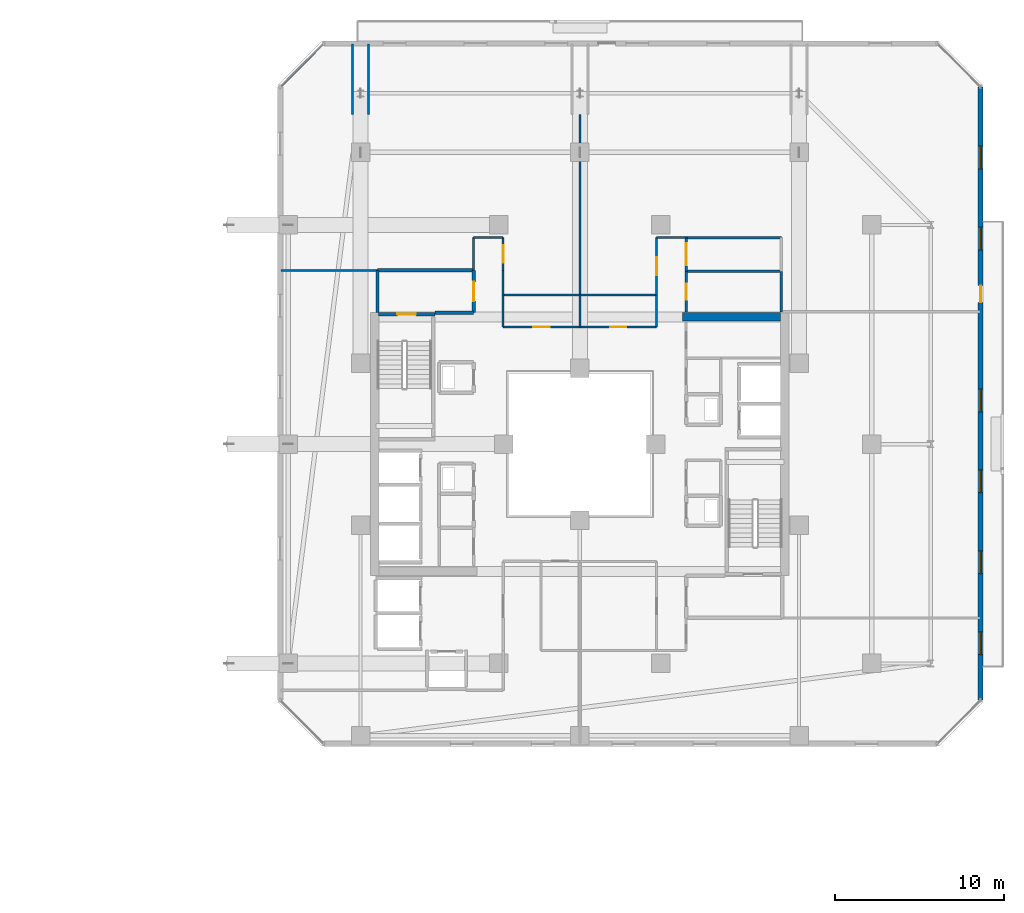
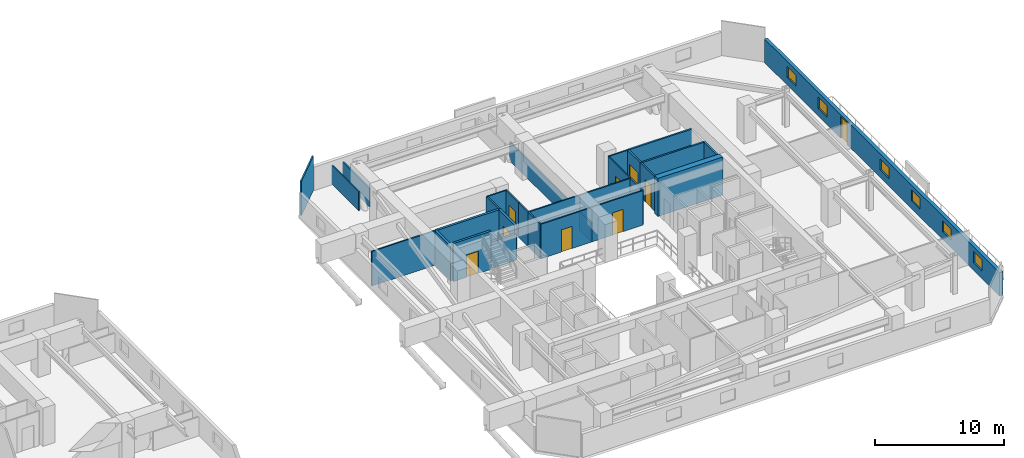
# One storey, part 28 of 36: 30 walls, 9 doors, 6 windows, 15 openings.
"""IFC4 building model written with IfcOpenShell, lengths in metres."""

import ifcopenshell
import ifcopenshell.guid

model = None  # the IFC model being written
_history = None  # IfcOwnerHistory: only IFC2X3 demands one
_inside = {}  # id of a spatial element -> (the spatial element, [elements in it])
_under = {}  # id of a project, library or spatial element -> (it, [spatial elements below it])
_declared = {}  # id of a project -> (the project, [libraries it declares])
_typed = {}  # id of a type object -> (the type object, [elements of that type])
_made_of = {}  # id of a material, layer set ... -> (it, [elements and type objects made of it])


def new_model(schema):
    """Start an empty IFC model of exactly this schema.

    Asked for "IFC4X3", IfcOpenShell would pick the latest addendum, in which some entities
    have other attributes; the version numbers below select the first issue.
    IFC2X3 requires an IfcOwnerHistory on every rooted entity: one is made here for all.
    """
    global model, _history
    if schema == "IFC4X3":
        model = ifcopenshell.file(schema_version=(4, 3, 0, 0))
    else:
        model = ifcopenshell.file(schema=schema)
    _inside.clear()
    _under.clear()
    _declared.clear()
    _typed.clear()
    _made_of.clear()
    _history = None
    if model.schema == "IFC2X3":
        org = make("IfcOrganization", Name="unknown")
        user = make(
            "IfcPersonAndOrganization",
            ThePerson=make("IfcPerson", FamilyName="unknown"),
            TheOrganization=org,
        )
        app = make(
            "IfcApplication",
            ApplicationDeveloper=org,
            Version="unknown",
            ApplicationFullName="unknown",
            ApplicationIdentifier="unknown",
        )
        _history = make(
            "IfcOwnerHistory",
            OwningUser=user,
            OwningApplication=app,
            ChangeAction="ADDED",
            CreationDate=0,
        )
    return model


def make(cls, **values):
    """One entity of the class cls with the attributes given. An attribute that is None is left unset."""
    return model.create_entity(
        cls, **{name: value for name, value in values.items() if value is not None}
    )


def rooted(cls, **values):
    """An entity with a GlobalId (a new one), such as an element, a storey or a relation."""
    return make(cls, GlobalId=ifcopenshell.guid.new(), OwnerHistory=_history, **values)


def si_unit(unit_type, name, prefix=None):
    """IfcSIUnit, for example si_unit("LENGTHUNIT", "METRE", prefix="MILLI")."""
    return make("IfcSIUnit", UnitType=unit_type, Prefix=prefix, Name=name)


def assignment(units):
    """IfcUnitAssignment: the units of a project."""
    return None if units is None else make("IfcUnitAssignment", Units=units)


def point(xyz):
    """IfcCartesianPoint."""
    return None if xyz is None else make("IfcCartesianPoint", Coordinates=xyz)


def direction(xyz):
    """IfcDirection."""
    return None if xyz is None else make("IfcDirection", DirectionRatios=xyz)


def frame(location, z_axis=None, x_axis=None):
    """IfcAxis2Placement3D, a coordinate frame: its origin and axes. An axis left out is left unset."""
    return make(
        "IfcAxis2Placement3D",
        Location=point(location),
        Axis=direction(z_axis),
        RefDirection=direction(x_axis),
    )


def frame_2d(location, x_axis=None):
    """IfcAxis2Placement2D, a coordinate frame in the plane: its origin and x axis."""
    return make(
        "IfcAxis2Placement2D", Location=point(location), RefDirection=direction(x_axis)
    )


def origin():
    """The frame at (0, 0, 0) with its axes left unset."""
    return frame((0.0, 0.0, 0.0))


def place(relative_to, where):
    """IfcLocalPlacement: puts the frame where relative to a parent placement (None: the world)."""
    return make(
        "IfcLocalPlacement", PlacementRelTo=relative_to, RelativePlacement=where
    )


def context(
    kind, dimensions, precision=None, world=None, true_north=None, identifier=None
):
    """IfcGeometricRepresentationContext, for example the 3D "Model" context."""
    return make(
        "IfcGeometricRepresentationContext",
        ContextIdentifier=identifier,
        ContextType=kind,
        CoordinateSpaceDimension=dimensions,
        Precision=precision,
        WorldCoordinateSystem=world,
        TrueNorth=true_north,
    )


def subcontext(parent, identifier, kind, view, scale=None):
    """IfcGeometricRepresentationSubContext, for example "Body" below "Model"."""
    return make(
        "IfcGeometricRepresentationSubContext",
        ContextIdentifier=identifier,
        ContextType=kind,
        ParentContext=parent,
        TargetScale=scale,
        TargetView=view,
    )


def project(units=None, contexts=None):
    """IfcProject with its units and contexts."""
    return rooted(
        "IfcProject",
        Name="project",
        RepresentationContexts=contexts,
        UnitsInContext=assignment(units),
    )


def spatial(cls, under=None, at=None, **own):
    """A site, building, storey or space (cls), placed at a placement, below another one or the project."""
    s = rooted(cls, ObjectPlacement=at, **own)
    if under is not None:
        _under.setdefault(under.id(), (under, []))[1].append(s)
    return s


def profile(cls, at=None, kind="AREA", **sizes):
    """A parametric profile (cls). Its sizes go by their IFC names, for example OverallWidth=200.0."""
    return make(cls, ProfileType=kind, Position=at, **sizes)


def rectangle(**sizes):
    """IfcRectangleProfileDef."""
    return profile("IfcRectangleProfileDef", **sizes)


def extrude(swept, where, along, depth):
    """IfcExtrudedAreaSolid: the profile swept, set in the frame where, extruded along a direction by depth."""
    return make(
        "IfcExtrudedAreaSolid",
        SweptArea=swept,
        Position=where,
        ExtrudedDirection=direction(along),
        Depth=depth,
    )


def shape(context_of_items, identifier, shape_type, items):
    """IfcShapeRepresentation: the items that make up one representation, for example the "Body"."""
    return make(
        "IfcShapeRepresentation",
        ContextOfItems=context_of_items,
        RepresentationIdentifier=identifier,
        RepresentationType=shape_type,
        Items=items,
    )


def material(Name=None, Category=None):
    """IfcMaterial."""
    return make("IfcMaterial", Name=Name, Category=Category)


def layer(
    of_material, thickness, ventilated=None, Name=None, Category=None, Priority=None
):
    """IfcMaterialLayer: one layer of a wall or slab, of a material (None: an air gap)."""
    return make(
        "IfcMaterialLayer",
        Material=of_material,
        LayerThickness=thickness,
        IsVentilated=ventilated,
        Name=Name,
        Category=Category,
        Priority=Priority,
    )


def layer_set(layers, Name=None):
    """IfcMaterialLayerSet."""
    return make("IfcMaterialLayerSet", MaterialLayers=layers, LayerSetName=Name)


def made_of(thing, what):
    """Note that an element or type object is made of a material, layer set ...; save() writes the relation."""
    if what is not None:
        _made_of.setdefault(what.id(), (what, []))[1].append(thing)
    return thing


def type_object(cls, material=None, **own):
    """A type object (cls), such as IfcWallType, which elements share."""
    return made_of(rooted(cls, **own), material)


def element(
    cls,
    number,
    at=None,
    inside=None,
    cuts=None,
    type_object=None,
    material=None,
    context=None,
    identifier="Body",
    shape_type=None,
    held_by="IfcProductDefinitionShape",
    body=None,
    shapes=None,
    **own,
):
    """One element of the class cls, such as IfcWall. Its Tag is "e" and its number.

    at: its placement. inside: the storey or other place that contains it. cuts: it is an
    opening in that element (IfcRelVoidsElement). A single representation is given by context,
    identifier, shape_type and body (its items); several are given by shapes. held_by: the class
    of the entity that holds the representations. save() writes the other relations.
    """
    e = rooted(cls, Tag="e%d" % number, ObjectPlacement=at, **own)
    if body is not None:
        shapes = [shape(context, identifier, shape_type, body)]
    if shapes is not None:
        e.Representation = make(held_by, Representations=shapes)
    if inside is not None:
        _inside.setdefault(inside.id(), (inside, []))[1].append(e)
    if cuts is not None:
        rooted(
            "IfcRelVoidsElement", RelatingBuildingElement=cuts, RelatedOpeningElement=e
        )
    if type_object is not None:
        _typed.setdefault(type_object.id(), (type_object, []))[1].append(e)
    return made_of(e, material)


def fill(opening, filler):
    """IfcRelFillsElement: the door or window that sits in an opening."""
    return rooted(
        "IfcRelFillsElement",
        RelatingOpeningElement=opening,
        RelatedBuildingElement=filler,
    )


def aggregate(whole, parts):
    """IfcRelAggregates: a whole, such as a stair, and the parts it consists of."""
    return rooted("IfcRelAggregates", RelatingObject=whole, RelatedObjects=parts)


def save(model, path):
    """Write the relations noted so far, then the file.

    IfcRelAggregates (storeys below a building ...), IfcRelContainedInSpatialStructure (elements
    in a storey), IfcRelDefinesByType, IfcRelAssociatesMaterial and IfcRelDeclares: one each for
    every whole, place, type object, material and project.
    """
    for whole, parts in _under.values():
        aggregate(whole, parts)
    for where, things in _inside.values():
        rooted(
            "IfcRelContainedInSpatialStructure",
            RelatedElements=things,
            RelatingStructure=where,
        )
    for kind, things in _typed.values():
        rooted("IfcRelDefinesByType", RelatedObjects=things, RelatingType=kind)
    for what, things in _made_of.values():
        rooted("IfcRelAssociatesMaterial", RelatedObjects=things, RelatingMaterial=what)
    for by, libraries in _declared.values():
        rooted("IfcRelDeclares", RelatingContext=by, RelatedDefinitions=libraries)
    model.write(path)


model = new_model("IFC4")

# Units and contexts
model_context = context("Model", 3, precision=1e-05, world=origin(), true_north=direction((0.0, 1.0)))
body_context = subcontext(model_context, "Body", "Model", "MODEL_VIEW")
ifc_project = project(units=[si_unit("LENGTHUNIT", "METRE"), si_unit("AREAUNIT", "SQUARE_METRE"), si_unit("VOLUMEUNIT", "CUBIC_METRE"), si_unit("PLANEANGLEUNIT", "RADIAN"), si_unit("MASSUNIT", "GRAM", prefix="KILO")], contexts=[model_context])

# Site, building, storey
site_placement = place(None, origin())
site = spatial("IfcSite", under=ifc_project, at=site_placement, CompositionType="ELEMENT")
building_placement = place(site_placement, origin())
building = spatial("IfcBuilding", under=site, at=building_placement, Name="Thornwick Lancets Civic Towers", CompositionType="ELEMENT")
storey_placement = place(building_placement, frame((0.0, 0.0, 170.699951171875)))
storey = spatial("IfcBuildingStorey", under=building, at=storey_placement, Name="L45", CompositionType="ELEMENT", Elevation=170.699951171875)

# Wall
ifc_material_1 = material(Name="Concrete blockwork C40/50", Category="masonry")
ifc_layer_1 = layer(ifc_material_1, 0.199951171875, Name="Concrete blockwork C40/50")
ifc_layer_set_1 = layer_set([ifc_layer_1], Name="Concrete blockwork C40/50")
wall_type_1 = type_object("IfcWallType", Name="WALL_COMP_200", PredefinedType="STANDARD", material=ifc_layer_set_1)
wall_1_placement = place(storey_placement, frame((79.89990234375, 34.800048828125, 0.0), z_axis=(0.0, 0.0, 1.0), x_axis=(1.0, 0.0, 0.0)))
element("IfcWall", 1, at=wall_1_placement, inside=storey, type_object=wall_type_1, Name="L45 Partition L45-B-FFLOB2 E1", PredefinedType="STANDARD", context=body_context, shape_type="SweptSolid", body=[
    extrude(rectangle(XDim=2.300048828125, YDim=0.199951171875, at=frame_2d((1.14990234375, 0.0))), origin(), (0.0, 0.0, 1.0), 2.465087890625),
])

# Wall, opening, door
wall_2_placement = place(storey_placement, frame((82.199951171875, 34.800048828125, 0.0), z_axis=(0.0, 0.0, 1.0), x_axis=(0.0, 1.0, 0.0)))
wall_2 = element("IfcWall", 2, at=wall_2_placement, inside=storey, type_object=wall_type_1, Name="L45 Partition L45-B-FFLOB2 E2", PredefinedType="STANDARD", context=body_context, shape_type="SweptSolid", body=[
    extrude(rectangle(XDim=2.5, YDim=0.199951171875, at=frame_2d((1.25, 0.0))), origin(), (0.0, 0.0, 1.0), 3.260009765625),
])
opening_1_placement = place(wall_2_placement, frame((0.675048828125, 0.0, 0.0)))
opening_1 = element("IfcOpeningElement", 3, at=opening_1_placement, cuts=wall_2, Name="Opening D-L45-2015", PredefinedType="OPENING", context=body_context, shape_type="SweptSolid", body=[
    extrude(rectangle(XDim=1.14990234375, YDim=2.10009765625, at=frame_2d((0.574951171875, 1.050048828125))), frame((0.0, 0.10986328125, 0.0), z_axis=(0.0, -1.0, 0.0), x_axis=(1.0, 0.0, 0.0)), (0.0, 0.0, 1.0), 0.219970703125),
])
ifc_material_2 = material(Name="Glazed fire-resisting steel", Category="steel")
door_type_1 = type_object("IfcDoorType", Name="DOOR_LOBBY_FD60", OperationType="NOTDEFINED", PredefinedType="DOOR", material=ifc_material_2)
door_1_placement = place(opening_1_placement, origin())
door_1 = element("IfcDoor", 4, at=door_1_placement, inside=storey, type_object=door_type_1, Name="L45 West Firefighting Lobby 2 Door", OperationType="SINGLE_SWING_RIGHT", OverallHeight=2.10009765625, OverallWidth=1.14990234375, PredefinedType="DOOR", context=body_context, shape_type="SweptSolid", body=[
    extrude(rectangle(XDim=1.14990234375, YDim=2.10009765625, at=frame_2d((0.574951171875, 1.050048828125))), frame((0.0, 0.02490234375, 0.0), z_axis=(0.0, -1.0, 0.0), x_axis=(1.0, 0.0, 0.0)), (0.0, 0.0, 1.0), 0.050048828125),
])
fill(opening_1, door_1)

# Walls
wall_3_placement = place(storey_placement, frame((82.199951171875, 37.300048828125, 0.0), z_axis=(0.0, 0.0, 1.0), x_axis=(-1.0, 0.0, 0.0)))
element("IfcWall", 5, at=wall_3_placement, inside=storey, type_object=wall_type_1, Name="L45 Partition L45-B-FFLOB2 E3", PredefinedType="STANDARD", context=body_context, shape_type="SweptSolid", body=[
    extrude(rectangle(XDim=5.699951171875, YDim=0.199951171875, at=frame_2d((2.85009765625, 0.0))), origin(), (0.0, 0.0, 1.0), 3.260009765625),
])
wall_4_placement = place(storey_placement, frame((76.5, 37.300048828125, 0.0), z_axis=(0.0, 0.0, 1.0), x_axis=(0.0, -1.0, 0.0)))
element("IfcWall", 6, at=wall_4_placement, inside=storey, type_object=wall_type_1, Name="L45 Partition L45-B-FFLOB2 E4", PredefinedType="STANDARD", context=body_context, shape_type="SweptSolid", body=[
    extrude(rectangle(XDim=2.5, YDim=0.199951171875, at=frame_2d((1.25, 0.0))), origin(), (0.0, 0.0, 1.0), 3.260009765625),
])
ifc_material_3 = material(Name="Concrete C50/60", Category="concrete")
ifc_layer_2 = layer(ifc_material_3, 0.5, Name="Concrete C50/60")
ifc_layer_set_2 = layer_set([ifc_layer_2], Name="Concrete C50/60")
wall_type_2 = type_object("IfcWallType", Name="WALL_CORE_500", PredefinedType="SHEAR", material=ifc_layer_set_2)
wall_5_placement = place(storey_placement, frame((94.60009765625, 34.550048828125, 0.0), z_axis=(0.0, 0.0, 1.0), x_axis=(1.0, 0.0, 0.0)))
element("IfcWall", 7, at=wall_5_placement, inside=storey, type_object=wall_type_2, Name="L45 Split Core B1 Shear Wall N", PredefinedType="SHEAR", context=body_context, shape_type="SweptSolid", body=[
    extrude(rectangle(XDim=5.7998046875, YDim=0.5, at=frame_2d((2.89990234375, 0.0))), origin(), (0.0, 0.0, 1.0), 3.60009765625),
])

# Wall, openings, door, windows
ifc_material_4 = material(Name="Insulated russet terracotta rainscreen on concrete C40/50", Category="masonry")
ifc_layer_3 = layer(ifc_material_4, 0.300048828125, Name="Insulated russet terracotta rainscreen on concrete C40/50")
ifc_layer_set_3 = layer_set([ifc_layer_3], Name="Insulated russet terracotta rainscreen on concrete C40/50")
wall_type_3 = type_object("IfcWallType", Name="WALL_EXT_RUSSET_300", PredefinedType="STANDARD", material=ifc_layer_set_3)
wall_6_placement = place(storey_placement, frame((112.2646484375, 11.818603515625, 0.0), z_axis=(0.0, 0.0, 1.0), x_axis=(0.0, 1.0, 0.0)))
wall_6 = element("IfcWall", 8, at=wall_6_placement, inside=storey, type_object=wall_type_3, Name="L45 Tower B Terracotta Facade Wall E2", PredefinedType="STANDARD", context=body_context, shape_type="SweptSolid", body=[
    extrude(rectangle(XDim=36.36279296875, YDim=0.300048828125, at=frame_2d((18.181396484375, 0.0))), origin(), (0.0, 0.0, 1.0), 2.219970703125),
])
opening_2_placement = place(wall_6_placement, frame((23.581298828125, 0.0, 0.0)))
opening_2 = element("IfcOpeningElement", 9, at=opening_2_placement, cuts=wall_6, Name="Opening D-BL-L45-BE", PredefinedType="OPENING", context=body_context, shape_type="SweptSolid", body=[
    extrude(rectangle(XDim=1.0, YDim=2.080078125, at=frame_2d((0.5, 1.0400390625))), frame((0.0, 0.16015625, 0.0), z_axis=(0.0, -1.0, 0.0), x_axis=(1.0, 0.0, 0.0)), (0.0, 0.0, 1.0), 0.320068359375),
])
opening_3_placement = place(wall_6_placement, frame((2.699951171875, 0.0, 0.719970703125)))
opening_3 = element("IfcOpeningElement", 10, at=opening_3_placement, cuts=wall_6, Name="Opening WL-03", PredefinedType="OPENING", context=body_context, shape_type="SweptSolid", body=[
    extrude(rectangle(XDim=1.35009765625, YDim=1.050048828125, at=frame_2d((0.675048828125, 0.52490234375))), frame((0.0, 0.16015625, 0.0), z_axis=(0.0, -1.0, 0.0), x_axis=(1.0, 0.0, 0.0)), (0.0, 0.0, 1.0), 0.320068359375),
])
opening_4_placement = place(wall_6_placement, frame((7.5, 0.0, 0.719970703125)))
opening_4 = element("IfcOpeningElement", 11, at=opening_4_placement, cuts=wall_6, Name="Opening WL-03", PredefinedType="OPENING", context=body_context, shape_type="SweptSolid", body=[
    extrude(rectangle(XDim=1.35009765625, YDim=1.050048828125, at=frame_2d((0.675048828125, 0.52490234375))), frame((0.0, 0.16015625, 0.0), z_axis=(0.0, -1.0, 0.0), x_axis=(1.0, 0.0, 0.0)), (0.0, 0.0, 1.0), 0.320068359375),
])
opening_5_placement = place(wall_6_placement, frame((12.300048828125, 0.0, 0.719970703125)))
opening_5 = element("IfcOpeningElement", 12, at=opening_5_placement, cuts=wall_6, Name="Opening WL-03", PredefinedType="OPENING", context=body_context, shape_type="SweptSolid", body=[
    extrude(rectangle(XDim=1.35009765625, YDim=1.050048828125, at=frame_2d((0.675048828125, 0.52490234375))), frame((0.0, 0.16015625, 0.0), z_axis=(0.0, -1.0, 0.0), x_axis=(1.0, 0.0, 0.0)), (0.0, 0.0, 1.0), 0.320068359375),
])
opening_6_placement = place(wall_6_placement, frame((17.10009765625, 0.0, 0.719970703125)))
opening_6 = element("IfcOpeningElement", 13, at=opening_6_placement, cuts=wall_6, Name="Opening WL-03", PredefinedType="OPENING", context=body_context, shape_type="SweptSolid", body=[
    extrude(rectangle(XDim=1.35009765625, YDim=1.050048828125, at=frame_2d((0.675048828125, 0.52490234375))), frame((0.0, 0.16015625, 0.0), z_axis=(0.0, -1.0, 0.0), x_axis=(1.0, 0.0, 0.0)), (0.0, 0.0, 1.0), 0.320068359375),
])
opening_7_placement = place(wall_6_placement, frame((26.699951171875, 0.0, 0.719970703125)))
opening_7 = element("IfcOpeningElement", 14, at=opening_7_placement, cuts=wall_6, Name="Opening WL-03", PredefinedType="OPENING", context=body_context, shape_type="SweptSolid", body=[
    extrude(rectangle(XDim=1.35009765625, YDim=1.050048828125, at=frame_2d((0.675048828125, 0.52490234375))), frame((0.0, 0.16015625, 0.0), z_axis=(0.0, -1.0, 0.0), x_axis=(1.0, 0.0, 0.0)), (0.0, 0.0, 1.0), 0.320068359375),
])
opening_8_placement = place(wall_6_placement, frame((31.5, 0.0, 0.719970703125)))
opening_8 = element("IfcOpeningElement", 15, at=opening_8_placement, cuts=wall_6, Name="Opening WL-03", PredefinedType="OPENING", context=body_context, shape_type="SweptSolid", body=[
    extrude(rectangle(XDim=1.35009765625, YDim=1.050048828125, at=frame_2d((0.675048828125, 0.52490234375))), frame((0.0, 0.16015625, 0.0), z_axis=(0.0, -1.0, 0.0), x_axis=(1.0, 0.0, 0.0)), (0.0, 0.0, 1.0), 0.320068359375),
])
ifc_material_5 = material(Name="Thermally broken glazed loggia doorset")
door_type_2 = type_object("IfcDoorType", Name="DOOR_BALC_1000", OperationType="NOTDEFINED", PredefinedType="DOOR", material=ifc_material_5)
door_2_placement = place(opening_2_placement, origin())
door_2 = element("IfcDoor", 16, at=door_2_placement, inside=storey, type_object=door_type_2, Name="L45 Tower B Loggia Balcony Door E", OperationType="SINGLE_SWING_RIGHT", OverallHeight=2.080078125, OverallWidth=1.0, PredefinedType="DOOR", context=body_context, shape_type="SweptSolid", body=[
    extrude(rectangle(XDim=1.0, YDim=2.080078125, at=frame_2d((0.5, 1.0400390625))), frame((0.0, 0.02490234375, 0.0), z_axis=(0.0, -1.0, 0.0), x_axis=(1.0, 0.0, 0.0)), (0.0, 0.0, 1.0), 0.050048828125),
])
fill(opening_2, door_2)
ifc_material_6 = material(Name="Clear low-e double glazing clerestory lancet", Category="glass")
window_type = type_object("IfcWindowType", Name="WIN_LANCET_1350", PartitioningType="SINGLE_PANEL", PredefinedType="WINDOW", material=ifc_material_6)
window_1_placement = place(opening_3_placement, origin())
window_1 = element("IfcWindow", 17, at=window_1_placement, inside=storey, type_object=window_type, Name="L45 Tower B Staggered Lancet Window E2-1", OverallHeight=1.050048828125, OverallWidth=1.35009765625, PartitioningType="SINGLE_PANEL", PredefinedType="WINDOW", context=body_context, shape_type="SweptSolid", body=[
    extrude(rectangle(XDim=1.35009765625, YDim=1.050048828125, at=frame_2d((0.675048828125, 0.52490234375))), frame((0.0, 0.030029296875, 0.0), z_axis=(0.0, -1.0, 0.0), x_axis=(1.0, 0.0, 0.0)), (0.0, 0.0, 1.0), 0.06005859375),
])
fill(opening_3, window_1)
window_2_placement = place(opening_4_placement, origin())
window_2 = element("IfcWindow", 18, at=window_2_placement, inside=storey, type_object=window_type, Name="L45 Tower B Staggered Lancet Window E2-2", OverallHeight=1.050048828125, OverallWidth=1.35009765625, PartitioningType="SINGLE_PANEL", PredefinedType="WINDOW", context=body_context, shape_type="SweptSolid", body=[
    extrude(rectangle(XDim=1.35009765625, YDim=1.050048828125, at=frame_2d((0.675048828125, 0.52490234375))), frame((0.0, 0.030029296875, 0.0), z_axis=(0.0, -1.0, 0.0), x_axis=(1.0, 0.0, 0.0)), (0.0, 0.0, 1.0), 0.06005859375),
])
fill(opening_4, window_2)
window_3_placement = place(opening_5_placement, origin())
window_3 = element("IfcWindow", 19, at=window_3_placement, inside=storey, type_object=window_type, Name="L45 Tower B Staggered Lancet Window E2-3", OverallHeight=1.050048828125, OverallWidth=1.35009765625, PartitioningType="SINGLE_PANEL", PredefinedType="WINDOW", context=body_context, shape_type="SweptSolid", body=[
    extrude(rectangle(XDim=1.35009765625, YDim=1.050048828125, at=frame_2d((0.675048828125, 0.52490234375))), frame((0.0, 0.030029296875, 0.0), z_axis=(0.0, -1.0, 0.0), x_axis=(1.0, 0.0, 0.0)), (0.0, 0.0, 1.0), 0.06005859375),
])
fill(opening_5, window_3)
window_4_placement = place(opening_6_placement, origin())
window_4 = element("IfcWindow", 20, at=window_4_placement, inside=storey, type_object=window_type, Name="L45 Tower B Staggered Lancet Window E2-4", OverallHeight=1.050048828125, OverallWidth=1.35009765625, PartitioningType="SINGLE_PANEL", PredefinedType="WINDOW", context=body_context, shape_type="SweptSolid", body=[
    extrude(rectangle(XDim=1.35009765625, YDim=1.050048828125, at=frame_2d((0.675048828125, 0.52490234375))), frame((0.0, 0.030029296875, 0.0), z_axis=(0.0, -1.0, 0.0), x_axis=(1.0, 0.0, 0.0)), (0.0, 0.0, 1.0), 0.06005859375),
])
fill(opening_6, window_4)
window_5_placement = place(opening_7_placement, origin())
window_5 = element("IfcWindow", 21, at=window_5_placement, inside=storey, type_object=window_type, Name="L45 Tower B Staggered Lancet Window E2-5", OverallHeight=1.050048828125, OverallWidth=1.35009765625, PartitioningType="SINGLE_PANEL", PredefinedType="WINDOW", context=body_context, shape_type="SweptSolid", body=[
    extrude(rectangle(XDim=1.35009765625, YDim=1.050048828125, at=frame_2d((0.675048828125, 0.52490234375))), frame((0.0, 0.030029296875, 0.0), z_axis=(0.0, -1.0, 0.0), x_axis=(1.0, 0.0, 0.0)), (0.0, 0.0, 1.0), 0.06005859375),
])
fill(opening_7, window_5)
window_6_placement = place(opening_8_placement, origin())
window_6 = element("IfcWindow", 22, at=window_6_placement, inside=storey, type_object=window_type, Name="L45 Tower B Staggered Lancet Window E2-6", OverallHeight=1.050048828125, OverallWidth=1.35009765625, PartitioningType="SINGLE_PANEL", PredefinedType="WINDOW", context=body_context, shape_type="SweptSolid", body=[
    extrude(rectangle(XDim=1.35009765625, YDim=1.050048828125, at=frame_2d((0.675048828125, 0.52490234375))), frame((0.0, 0.030029296875, 0.0), z_axis=(0.0, -1.0, 0.0), x_axis=(1.0, 0.0, 0.0)), (0.0, 0.0, 1.0), 0.06005859375),
])
fill(opening_8, window_6)

# Walls
ifc_material_7 = material(Name="Acoustic gypsum board partition")
ifc_layer_4 = layer(ifc_material_7, 0.1201171875, Name="Acoustic gypsum board partition")
ifc_layer_set_4 = layer_set([ifc_layer_4], Name="Acoustic gypsum board partition")
wall_type_4 = type_object("IfcWallType", Name="WALL_PART_120", PredefinedType="PARTITIONING", material=ifc_layer_set_4)
wall_7_placement = place(storey_placement, frame((88.5, 33.949951171875, 0.0), z_axis=(0.0, 0.0, 1.0), x_axis=(0.0, 1.0, 0.0)))
element("IfcWall", 23, at=wall_7_placement, inside=storey, type_object=wall_type_4, Name="L45 Partition L45-B-E1 E1", PredefinedType="PARTITIONING", context=body_context, shape_type="SweptSolid", body=[
    extrude(rectangle(XDim=1.900146484375, YDim=0.1201171875, at=frame_2d((0.9501953125, 0.0))), origin(), (0.0, 0.0, 1.0), 1.78515625),
])
wall_8_placement = place(storey_placement, frame((88.5, 35.85009765625, 0.0), z_axis=(0.0, 0.0, 1.0), x_axis=(1.0, 0.0, 0.0)))
element("IfcWall", 24, at=wall_8_placement, inside=storey, type_object=wall_type_4, Name="L45 Partition L45-B-E1 E2", PredefinedType="PARTITIONING", context=body_context, shape_type="SweptSolid", body=[
    extrude(rectangle(XDim=4.550048828125, YDim=0.1201171875, at=frame_2d((2.27490234375, 0.0))), origin(), (0.0, 0.0, 1.0), 3.260009765625),
])
wall_9_placement = place(storey_placement, frame((93.050048828125, 35.85009765625, 0.0), z_axis=(0.0, 0.0, 1.0), x_axis=(0.0, -1.0, 0.0)))
element("IfcWall", 25, at=wall_9_placement, inside=storey, type_object=wall_type_4, Name="L45 Partition L45-B-E1 E3", PredefinedType="PARTITIONING", context=body_context, shape_type="SweptSolid", body=[
    extrude(rectangle(XDim=1.900146484375, YDim=0.1201171875, at=frame_2d((0.9501953125, 0.0))), origin(), (0.0, 0.0, 1.0), 3.260009765625),
])

# Wall, opening, door
wall_10_placement = place(storey_placement, frame((93.050048828125, 33.949951171875, 0.0), z_axis=(0.0, 0.0, 1.0), x_axis=(-1.0, 0.0, 0.0)))
wall_10 = element("IfcWall", 26, at=wall_10_placement, inside=storey, type_object=wall_type_4, Name="L45 Partition L45-B-E1 E4", PredefinedType="PARTITIONING", context=body_context, shape_type="SweptSolid", body=[
    extrude(rectangle(XDim=4.550048828125, YDim=0.1201171875, at=frame_2d((2.27490234375, 0.0))), origin(), (0.0, 0.0, 1.0), 3.260009765625),
])
opening_9_placement = place(wall_10_placement, frame((1.800048828125, 0.0, 0.0)))
opening_9 = element("IfcOpeningElement", 27, at=opening_9_placement, cuts=wall_10, Name="Opening D-L45-2041", PredefinedType="OPENING", context=body_context, shape_type="SweptSolid", body=[
    extrude(rectangle(XDim=0.949951171875, YDim=2.10009765625, at=frame_2d((0.47509765625, 1.050048828125))), frame((0.0, 0.070068359375, 0.0), z_axis=(0.0, -1.0, 0.0), x_axis=(1.0, 0.0, 0.0)), (0.0, 0.0, 1.0), 0.14013671875),
])
ifc_material_8 = material(Name="European oak acoustic doorset")
door_type_3 = type_object("IfcDoorType", Name="DOOR_OFFICE_950", OperationType="NOTDEFINED", PredefinedType="DOOR", material=ifc_material_8)
door_3_placement = place(opening_9_placement, origin())
door_3 = element("IfcDoor", 28, at=door_3_placement, inside=storey, type_object=door_type_3, Name="L45 Tower B Visitors Reception and Waiting Door", OperationType="SINGLE_SWING_RIGHT", OverallHeight=2.10009765625, OverallWidth=0.949951171875, PredefinedType="DOOR", context=body_context, shape_type="SweptSolid", body=[
    extrude(rectangle(XDim=0.949951171875, YDim=2.10009765625, at=frame_2d((0.47509765625, 1.050048828125))), frame((0.0, 0.02490234375, 0.0), z_axis=(0.0, -1.0, 0.0), x_axis=(1.0, 0.0, 0.0)), (0.0, 0.0, 1.0), 0.050048828125),
])
fill(opening_9, door_3)

# Wall
wall_11_placement = place(storey_placement, frame((94.800048828125, 39.25, 0.0), z_axis=(0.0, 0.0, 1.0), x_axis=(-1.0, 0.0, 0.0)))
element("IfcWall", 29, at=wall_11_placement, inside=storey, type_object=wall_type_4, Name="L45 Partition L45-B-E2 E4", PredefinedType="PARTITIONING", context=body_context, shape_type="SweptSolid", body=[
    extrude(rectangle(XDim=1.75, YDim=0.1201171875, at=frame_2d((0.875, 0.0))), origin(), (0.0, 0.0, 1.0), 3.260009765625),
])

# Wall, opening, door
wall_12_placement = place(storey_placement, frame((93.050048828125, 39.25, 0.0), z_axis=(0.0, 0.0, 1.0), x_axis=(0.0, -1.0, 0.0)))
wall_12 = element("IfcWall", 30, at=wall_12_placement, inside=storey, type_object=wall_type_4, Name="L45 Partition L45-B-E2 E5", PredefinedType="PARTITIONING", context=body_context, shape_type="SweptSolid", body=[
    extrude(rectangle(XDim=3.39990234375, YDim=0.1201171875, at=frame_2d((1.699951171875, 0.0))), origin(), (0.0, 0.0, 1.0), 3.260009765625),
])
opening_10_placement = place(wall_12_placement, frame((1.175048828125, 0.0, 0.0)))
opening_10 = element("IfcOpeningElement", 31, at=opening_10_placement, cuts=wall_12, Name="Opening D-L45-2042", PredefinedType="OPENING", context=body_context, shape_type="SweptSolid", body=[
    extrude(rectangle(XDim=1.050048828125, YDim=2.10009765625, at=frame_2d((0.52490234375, 1.050048828125))), frame((0.0, 0.070068359375, 0.0), z_axis=(0.0, -1.0, 0.0), x_axis=(1.0, 0.0, 0.0)), (0.0, 0.0, 1.0), 0.14013671875),
])
ifc_material_9 = material(Name="Glazed European oak executive doorset")
door_type_4 = type_object("IfcDoorType", Name="DOOR_OFFICE_1050", OperationType="NOTDEFINED", PredefinedType="DOOR", material=ifc_material_9)
door_4_placement = place(opening_10_placement, origin())
door_4 = element("IfcDoor", 32, at=door_4_placement, inside=storey, type_object=door_type_4, Name="L45 Tower B Secretariat Open Office E1 Door", OperationType="SINGLE_SWING_LEFT", OverallHeight=2.10009765625, OverallWidth=1.050048828125, PredefinedType="DOOR", context=body_context, shape_type="SweptSolid", body=[
    extrude(rectangle(XDim=1.050048828125, YDim=2.10009765625, at=frame_2d((0.52490234375, 1.050048828125))), frame((0.0, 0.02490234375, 0.0), z_axis=(0.0, -1.0, 0.0), x_axis=(1.0, 0.0, 0.0)), (0.0, 0.0, 1.0), 0.050048828125),
])
fill(opening_10, door_4)

# Walls
wall_13_placement = place(storey_placement, frame((88.5, 35.85009765625, 0.0), z_axis=(0.0, 0.0, 1.0), x_axis=(0.0, 1.0, 0.0)))
element("IfcWall", 33, at=wall_13_placement, inside=storey, type_object=wall_type_4, Name="L45 Partition L45-B-E2 E7", PredefinedType="PARTITIONING", context=body_context, shape_type="SweptSolid", body=[
    extrude(rectangle(XDim=10.69189453125, YDim=0.1201171875, at=frame_2d((5.345947265625, 0.0))), origin(), (0.0, 0.0, 1.0), 1.78515625),
])
wall_14_placement = place(storey_placement, frame((83.949951171875, 33.949951171875, 0.0), z_axis=(0.0, 0.0, 1.0), x_axis=(0.0, 1.0, 0.0)))
element("IfcWall", 34, at=wall_14_placement, inside=storey, type_object=wall_type_4, Name="L45 Partition L45-B-E3 E1", PredefinedType="PARTITIONING", context=body_context, shape_type="SweptSolid", body=[
    extrude(rectangle(XDim=1.900146484375, YDim=0.1201171875, at=frame_2d((0.9501953125, 0.0))), origin(), (0.0, 0.0, 1.0), 3.260009765625),
])
wall_15_placement = place(storey_placement, frame((83.949951171875, 35.85009765625, 0.0), z_axis=(0.0, 0.0, 1.0), x_axis=(1.0, 0.0, 0.0)))
element("IfcWall", 35, at=wall_15_placement, inside=storey, type_object=wall_type_4, Name="L45 Partition L45-B-E3 E2", PredefinedType="PARTITIONING", context=body_context, shape_type="SweptSolid", body=[
    extrude(rectangle(XDim=4.550048828125, YDim=0.1201171875, at=frame_2d((2.27490234375, 0.0))), origin(), (0.0, 0.0, 1.0), 3.260009765625),
])

# Wall, opening, door
wall_16_placement = place(storey_placement, frame((88.5, 33.949951171875, 0.0), z_axis=(0.0, 0.0, 1.0), x_axis=(-1.0, 0.0, 0.0)))
wall_16 = element("IfcWall", 36, at=wall_16_placement, inside=storey, type_object=wall_type_4, Name="L45 Partition L45-B-E3 E4", PredefinedType="PARTITIONING", context=body_context, shape_type="SweptSolid", body=[
    extrude(rectangle(XDim=4.550048828125, YDim=0.1201171875, at=frame_2d((2.27490234375, 0.0))), origin(), (0.0, 0.0, 1.0), 3.260009765625),
])
opening_11_placement = place(wall_16_placement, frame((1.800048828125, 0.0, 0.0)))
opening_11 = element("IfcOpeningElement", 37, at=opening_11_placement, cuts=wall_16, Name="Opening D-L45-2043", PredefinedType="OPENING", context=body_context, shape_type="SweptSolid", body=[
    extrude(rectangle(XDim=0.949951171875, YDim=2.10009765625, at=frame_2d((0.47509765625, 1.050048828125))), frame((0.0, 0.070068359375, 0.0), z_axis=(0.0, -1.0, 0.0), x_axis=(1.0, 0.0, 0.0)), (0.0, 0.0, 1.0), 0.14013671875),
])
door_5_placement = place(opening_11_placement, origin())
door_5 = element("IfcDoor", 38, at=door_5_placement, inside=storey, type_object=door_type_3, Name="L45 Tower B Civic Seminar Room Door", OperationType="SINGLE_SWING_RIGHT", OverallHeight=2.10009765625, OverallWidth=0.949951171875, PredefinedType="DOOR", context=body_context, shape_type="SweptSolid", body=[
    extrude(rectangle(XDim=0.949951171875, YDim=2.10009765625, at=frame_2d((0.47509765625, 1.050048828125))), frame((0.0, 0.02490234375, 0.0), z_axis=(0.0, -1.0, 0.0), x_axis=(1.0, 0.0, 0.0)), (0.0, 0.0, 1.0), 0.050048828125),
])
fill(opening_11, door_5)

# Wall
wall_17_placement = place(storey_placement, frame((83.949951171875, 35.85009765625, 0.0), z_axis=(0.0, 0.0, 1.0), x_axis=(0.0, 1.0, 0.0)))
element("IfcWall", 39, at=wall_17_placement, inside=storey, type_object=wall_type_4, Name="L45 Partition L45-B-E4 E1", PredefinedType="PARTITIONING", context=body_context, shape_type="SweptSolid", body=[
    extrude(rectangle(XDim=1.449951171875, YDim=0.1201171875, at=frame_2d((0.72509765625, 0.0))), origin(), (0.0, 0.0, 1.0), 3.260009765625),
])

# Wall, opening, door
wall_18_placement = place(storey_placement, frame((83.949951171875, 37.300048828125, 0.0), z_axis=(0.0, 0.0, 1.0), x_axis=(0.0, 1.0, 0.0)))
wall_18 = element("IfcWall", 40, at=wall_18_placement, inside=storey, type_object=wall_type_4, Name="L45 Partition L45-B-E4 E2", PredefinedType="PARTITIONING", context=body_context, shape_type="SweptSolid", body=[
    extrude(rectangle(XDim=1.949951171875, YDim=0.1201171875, at=frame_2d((0.97509765625, 0.0))), origin(), (0.0, 0.0, 1.0), 3.260009765625),
])
opening_12_placement = place(wall_18_placement, frame((0.449951171875, 0.0, 0.0)))
opening_12 = element("IfcOpeningElement", 41, at=opening_12_placement, cuts=wall_18, Name="Opening D-L45-2044", PredefinedType="OPENING", context=body_context, shape_type="SweptSolid", body=[
    extrude(rectangle(XDim=1.050048828125, YDim=2.10009765625, at=frame_2d((0.52490234375, 1.050048828125))), frame((0.0, 0.070068359375, 0.0), z_axis=(0.0, -1.0, 0.0), x_axis=(1.0, 0.0, 0.0)), (0.0, 0.0, 1.0), 0.14013671875),
])
door_6_placement = place(opening_12_placement, origin())
door_6 = element("IfcDoor", 42, at=door_6_placement, inside=storey, type_object=door_type_4, Name="L45 Tower B Counsel Chambers Office E4 Door", OperationType="SINGLE_SWING_LEFT", OverallHeight=2.10009765625, OverallWidth=1.050048828125, PredefinedType="DOOR", context=body_context, shape_type="SweptSolid", body=[
    extrude(rectangle(XDim=1.050048828125, YDim=2.10009765625, at=frame_2d((0.52490234375, 1.050048828125))), frame((0.0, 0.02490234375, 0.0), z_axis=(0.0, -1.0, 0.0), x_axis=(1.0, 0.0, 0.0)), (0.0, 0.0, 1.0), 0.050048828125),
])
fill(opening_12, door_6)

# Walls
wall_19_placement = place(storey_placement, frame((83.949951171875, 39.25, 0.0), z_axis=(0.0, 0.0, 1.0), x_axis=(-1.0, 0.0, 0.0)))
element("IfcWall", 43, at=wall_19_placement, inside=storey, type_object=wall_type_4, Name="L45 Partition L45-B-E4 E3", PredefinedType="PARTITIONING", context=body_context, shape_type="SweptSolid", body=[
    extrude(rectangle(XDim=1.75, YDim=0.1201171875, at=frame_2d((0.875, 0.0))), origin(), (0.0, 0.0, 1.0), 3.260009765625),
])
wall_20_placement = place(storey_placement, frame((82.199951171875, 39.25, 0.0), z_axis=(0.0, 0.0, 1.0), x_axis=(0.0, -1.0, 0.0)))
element("IfcWall", 44, at=wall_20_placement, inside=storey, type_object=wall_type_4, Name="L45 Partition L45-B-E4 E4", PredefinedType="PARTITIONING", context=body_context, shape_type="SweptSolid", body=[
    extrude(rectangle(XDim=1.949951171875, YDim=0.1201171875, at=frame_2d((0.97509765625, 0.0))), origin(), (0.0, 0.0, 1.0), 3.260009765625),
])
wall_21_placement = place(storey_placement, frame((76.5, 37.300048828125, 0.0), z_axis=(0.0, 0.0, 1.0), x_axis=(-1.0, 0.0, 0.0)))
element("IfcWall", 45, at=wall_21_placement, inside=storey, type_object=wall_type_4, Name="L45 Partition L45-B-E4 E6", PredefinedType="PARTITIONING", context=body_context, shape_type="SweptSolid", body=[
    extrude(rectangle(XDim=5.719970703125, YDim=0.1201171875, at=frame_2d((2.85986328125, 0.0))), origin(), (0.0, 0.0, 1.0), 3.260009765625),
])
wall_22_placement = place(storey_placement, frame((70.780029296875, 48.225341796875, 0.0), z_axis=(0.0, 0.0, 1.0), x_axis=(0.707106781187, 0.707106781187, 0.0)))
element("IfcWall", 46, at=wall_22_placement, inside=storey, type_object=wall_type_4, Name="L45 Partition L45-B-E4 E8", PredefinedType="PARTITIONING", context=body_context, shape_type="SweptSolid", body=[
    extrude(rectangle(XDim=3.52783203125, YDim=0.1201171875, at=frame_2d((1.763916015625, 0.0))), origin(), (0.0, 0.0, 1.0), 3.260009765625),
])
for number, where, z_axis, x_axis, name in (
    (47, (75.02001953125, 50.719970703125, 0.0), (0.0, 0.0, 1.0), (0.0, -1.0, 0.0), "L45 Partition L45-B-E4 E10"),
    (48, (75.97998046875, 46.5419921875, 0.0), (0.0, 0.0, 1.0), (0.0, 1.0, 0.0), "L45 Partition L45-B-E4 E12"),
):
    element("IfcWall", number, at=place(storey_placement, frame(where, z_axis=z_axis, x_axis=x_axis)), inside=storey, type_object=wall_type_4, Name=name, PredefinedType="PARTITIONING", context=body_context, shape_type="SweptSolid", body=[
        extrude(rectangle(XDim=4.177978515625, YDim=0.1201171875, at=frame_2d((2.0888671875, 0.0))), origin(), (0.0, 0.0, 1.0), 1.78515625),
    ])
ifc_material_10 = material(Name="Twin-stud acoustic gypsum board")
ifc_layer_5 = layer(ifc_material_10, 0.14990234375, Name="Twin-stud acoustic gypsum board")
ifc_layer_set_5 = layer_set([ifc_layer_5], Name="Twin-stud acoustic gypsum board")
wall_type_5 = type_object("IfcWallType", Name="WALL_PART_150", PredefinedType="PARTITIONING", material=ifc_layer_set_5)
wall_23_placement = place(storey_placement, frame((100.449951171875, 37.25, 0.0), z_axis=(0.0, 0.0, 1.0), x_axis=(0.0, -1.0, 0.0)))
element("IfcWall", 49, at=wall_23_placement, inside=storey, type_object=wall_type_5, Name="L45 Partition L45-B-RECLAIM-L1 E1", PredefinedType="PARTITIONING", context=body_context, shape_type="SweptSolid", body=[
    extrude(rectangle(XDim=2.39990234375, YDim=0.14990234375, at=frame_2d((1.199951171875, 0.0))), origin(), (0.0, 0.0, 1.0), 3.260009765625),
])

# Wall, opening, door
wall_24_placement = place(storey_placement, frame((94.800048828125, 34.85009765625, 0.0), z_axis=(0.0, 0.0, 1.0), x_axis=(0.0, 1.0, 0.0)))
wall_24 = element("IfcWall", 50, at=wall_24_placement, inside=storey, type_object=wall_type_5, Name="L45 Partition L45-B-RECLAIM-L1 E3", PredefinedType="PARTITIONING", context=body_context, shape_type="SweptSolid", body=[
    extrude(rectangle(XDim=2.39990234375, YDim=0.14990234375, at=frame_2d((1.199951171875, 0.0))), origin(), (0.0, 0.0, 1.0), 3.260009765625),
])
opening_13_placement = place(wall_24_placement, frame((0.72509765625, 0.0, 0.0)))
opening_13 = element("IfcOpeningElement", 51, at=opening_13_placement, cuts=wall_24, Name="Opening D-L45-2035", PredefinedType="OPENING", context=body_context, shape_type="SweptSolid", body=[
    extrude(rectangle(XDim=0.949951171875, YDim=2.10009765625, at=frame_2d((0.47509765625, 1.050048828125))), frame((0.0, 0.0849609375, 0.0), z_axis=(0.0, -1.0, 0.0), x_axis=(1.0, 0.0, 0.0)), (0.0, 0.0, 1.0), 0.169921875),
])
door_7_placement = place(opening_13_placement, origin())
door_7 = element("IfcDoor", 52, at=door_7_placement, inside=storey, type_object=door_type_3, Name="L45 Tower B Policy Archive Door", OperationType="SINGLE_SWING_RIGHT", OverallHeight=2.10009765625, OverallWidth=0.949951171875, PredefinedType="DOOR", context=body_context, shape_type="SweptSolid", body=[
    extrude(rectangle(XDim=0.949951171875, YDim=2.10009765625, at=frame_2d((0.47509765625, 1.050048828125))), frame((0.0, 0.02490234375, 0.0), z_axis=(0.0, -1.0, 0.0), x_axis=(1.0, 0.0, 0.0)), (0.0, 0.0, 1.0), 0.050048828125),
])
fill(opening_13, door_7)

# Wall
wall_25_placement = place(storey_placement, frame((94.800048828125, 37.25, 0.0), z_axis=(0.0, 0.0, 1.0), x_axis=(1.0, 0.0, 0.0)))
element("IfcWall", 53, at=wall_25_placement, inside=storey, type_object=wall_type_5, Name="L45 Partition L45-B-RECLAIM-L1 E4", PredefinedType="PARTITIONING", context=body_context, shape_type="SweptSolid", body=[
    extrude(rectangle(XDim=5.64990234375, YDim=0.14990234375, at=frame_2d((2.824951171875, 0.0))), origin(), (0.0, 0.0, 1.0), 3.260009765625),
])

# Wall, opening, door
wall_26_placement = place(storey_placement, frame((94.800048828125, 37.25, 0.0), z_axis=(0.0, 0.0, 1.0), x_axis=(0.0, 1.0, 0.0)))
wall_26 = element("IfcWall", 54, at=wall_26_placement, inside=storey, type_object=wall_type_5, Name="L45 Partition L45-B-RECLAIM-L2 E1", PredefinedType="PARTITIONING", context=body_context, shape_type="SweptSolid", body=[
    extrude(rectangle(XDim=2.0, YDim=0.14990234375, at=frame_2d((1.0, 0.0))), origin(), (0.0, 0.0, 1.0), 3.260009765625),
])
opening_14_placement = place(wall_26_placement, frame((0.35009765625, 0.0, 0.0)))
opening_14 = element("IfcOpeningElement", 55, at=opening_14_placement, cuts=wall_26, Name="Opening D-L45-2036", PredefinedType="OPENING", context=body_context, shape_type="SweptSolid", body=[
    extrude(rectangle(XDim=1.300048828125, YDim=2.1201171875, at=frame_2d((0.64990234375, 1.06005859375))), frame((0.0, 0.0849609375, 0.0), z_axis=(0.0, -1.0, 0.0), x_axis=(1.0, 0.0, 0.0)), (0.0, 0.0, 1.0), 0.169921875),
])
ifc_material_11 = material(Name="Acoustic oak leaf-and-a-half doorset")
door_type_5 = type_object("IfcDoorType", Name="DOOR_MEET_1300", OperationType="DOUBLE_DOOR_SINGLE_SWING", PredefinedType="DOOR", material=ifc_material_11)
door_8_placement = place(opening_14_placement, origin())
door_8 = element("IfcDoor", 56, at=door_8_placement, inside=storey, type_object=door_type_5, Name="L45 Tower B Ministerial Consultation Room Door", OperationType="DOUBLE_DOOR_SINGLE_SWING", OverallHeight=2.1201171875, OverallWidth=1.300048828125, PredefinedType="DOOR", context=body_context, shape_type="SweptSolid", body=[
    extrude(rectangle(XDim=1.300048828125, YDim=2.1201171875, at=frame_2d((0.64990234375, 1.06005859375))), frame((0.0, 0.02490234375, 0.0), z_axis=(0.0, -1.0, 0.0), x_axis=(1.0, 0.0, 0.0)), (0.0, 0.0, 1.0), 0.050048828125),
])
fill(opening_14, door_8)

# Wall
wall_27_placement = place(storey_placement, frame((94.800048828125, 39.25, 0.0), z_axis=(0.0, 0.0, 1.0), x_axis=(1.0, 0.0, 0.0)))
element("IfcWall", 57, at=wall_27_placement, inside=storey, type_object=wall_type_5, Name="L45 Partition L45-B-RECLAIM-L2 E2", PredefinedType="PARTITIONING", context=body_context, shape_type="SweptSolid", body=[
    extrude(rectangle(XDim=5.64990234375, YDim=0.14990234375, at=frame_2d((2.824951171875, 0.0))), origin(), (0.0, 0.0, 1.0), 3.260009765625),
])

# Wall, opening, door
ifc_material_12 = material(Name="Concrete C40/50", Category="concrete")
ifc_layer_6 = layer(ifc_material_12, 0.199951171875, Name="Concrete C40/50")
ifc_layer_set_6 = layer_set([ifc_layer_6], Name="Concrete C40/50")
wall_type_6 = type_object("IfcWallType", Name="WALL_SHAFT_200", PredefinedType="SHEAR", material=ifc_layer_set_6)
wall_28_placement = place(storey_placement, frame((76.550048828125, 34.699951171875, 0.0), z_axis=(0.0, 0.0, 1.0), x_axis=(1.0, 0.0, 0.0)))
wall_28 = element("IfcWall", 58, at=wall_28_placement, inside=storey, type_object=wall_type_6, Name="L45 ST-B2 Fire Stair Core Wall NEAR", PredefinedType="SHEAR", context=body_context, shape_type="SweptSolid", body=[
    extrude(rectangle(XDim=3.349853515625, YDim=0.199951171875, at=frame_2d((1.6748046875, 0.0))), origin(), (0.0, 0.0, 1.0), 3.60009765625),
])
opening_15_placement = place(wall_28_placement, frame((1.125, 0.0, 0.0)))
opening_15 = element("IfcOpeningElement", 59, at=opening_15_placement, cuts=wall_28, Name="Opening D-ST-B2-L45", PredefinedType="OPENING", context=body_context, shape_type="SweptSolid", body=[
    extrude(rectangle(XDim=1.10009765625, YDim=2.10009765625, at=frame_2d((0.550048828125, 1.050048828125))), frame((0.0, 0.10986328125, 0.0), z_axis=(0.0, -1.0, 0.0), x_axis=(1.0, 0.0, 0.0)), (0.0, 0.0, 1.0), 0.219970703125),
])
ifc_material_13 = material(Name="Fire-resisting steel and hardwood", Category="steel")
door_type_6 = type_object("IfcDoorType", Name="DOOR_STAIR_FD60", OperationType="NOTDEFINED", PredefinedType="DOOR", material=ifc_material_13)
door_9_placement = place(opening_15_placement, origin())
door_9 = element("IfcDoor", 60, at=door_9_placement, inside=storey, type_object=door_type_6, Name="L45 ST-B2 Exit Stair Door", OperationType="SINGLE_SWING_LEFT", OverallHeight=2.10009765625, OverallWidth=1.10009765625, PredefinedType="DOOR", context=body_context, shape_type="SweptSolid", body=[
    extrude(rectangle(XDim=1.10009765625, YDim=2.10009765625, at=frame_2d((0.550048828125, 1.050048828125))), frame((0.0, 0.02490234375, 0.0), z_axis=(0.0, -1.0, 0.0), x_axis=(1.0, 0.0, 0.0)), (0.0, 0.0, 1.0), 0.050048828125),
])
fill(opening_15, door_9)

save(model, "model.ifc")
